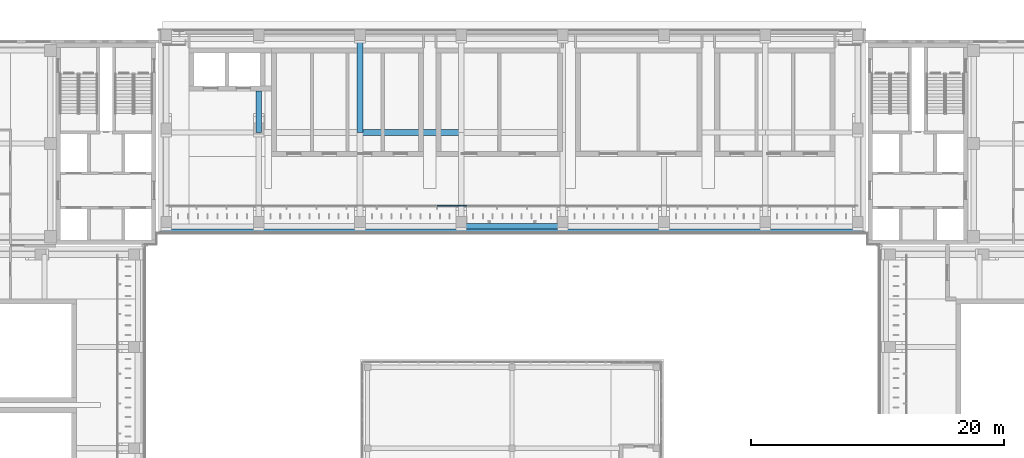
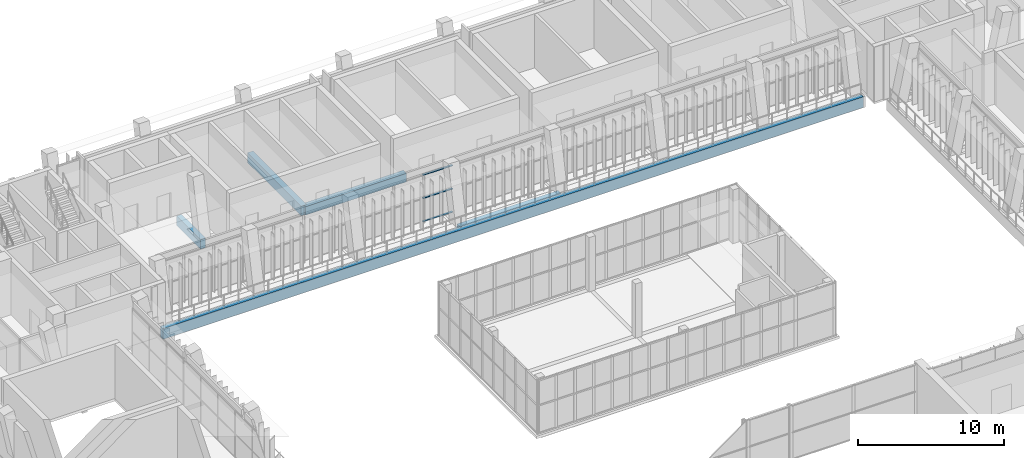
# One storey, part 35 of 92: 5 beams, 3 members, 1 element without a shape of its own.
"""IFC4 building model written with IfcOpenShell, lengths in metres."""

from ifc_helpers import new_model, si_unit, direction, frame, origin, origin_2d, place, context, subcontext, project, spatial, rectangle, extrude, material, material_profile, profile_set, type_object, element, aggregate, save


model = new_model("IFC4")

# Units and contexts
model_context = context("Model", 3, precision=1e-05, world=origin(), true_north=direction((0.0, 1.0)))
body_context = subcontext(model_context, "Body", "Model", "MODEL_VIEW")
ifc_project = project(units=[si_unit("LENGTHUNIT", "METRE"), si_unit("AREAUNIT", "SQUARE_METRE"), si_unit("VOLUMEUNIT", "CUBIC_METRE"), si_unit("PLANEANGLEUNIT", "RADIAN"), si_unit("MASSUNIT", "GRAM", prefix="KILO")], contexts=[model_context])

# Site, building, storey
site_placement = place(None, origin())
site = spatial("IfcSite", under=ifc_project, at=site_placement, CompositionType="ELEMENT")
building_placement = place(site_placement, origin())
building = spatial("IfcBuilding", under=site, at=building_placement, Name="Lantern Court Media Centre", CompositionType="ELEMENT")
storey_placement = place(building_placement, frame((0.0, 0.0, 4.800048828125)))
storey = spatial("IfcBuildingStorey", under=building, at=storey_placement, Name="L01", CompositionType="ELEMENT", Elevation=4.800048828125)

# Curtain wall, members
ifc_material_1 = material(Name="Curtain wall bay 2400")
curtain_wall_type = type_object("IfcCurtainWallType", Name="Curtain wall bay 2400", PredefinedType="NOTDEFINED", material=ifc_material_1)
curtain_wall_placement = place(storey_placement, origin())
curtain_wall = element("IfcCurtainWall", 1, at=curtain_wall_placement, inside=storey, type_object=curtain_wall_type, Name="Curtain wall N inner L01", PredefinedType="NOTDEFINED")
ifc_material_2 = material(Name="Anodised aluminium", Category="aluminium")
ifc_material_profile_1 = material_profile(ifc_material_2, rectangle(XDim=0.10009765625, YDim=0.050048828125, at=origin_2d()), Name="AL 50x100")
ifc_profile_set_1 = profile_set([ifc_material_profile_1], Name="Anodised aluminium")
member_type = type_object("IfcMemberType", Name="Curtain wall transom 100x50", PredefinedType="USERDEFINED", material=ifc_profile_set_1)
member_1_placement = place(storey_placement, frame((46.09033203125, 99.14990234375, 0.02490234375), z_axis=(1.0, 0.0, 0.0), x_axis=(0.0, 1.0, 0.0)))
member_1 = element("IfcMember", 2, at=member_1_placement, type_object=member_type, Name="CW2 transom 10.1", ObjectType="TRANSOM", PredefinedType="USERDEFINED", context=body_context, shape_type="SweptSolid", body=[
    extrude(rectangle(XDim=0.10009765625, YDim=0.050048828125, at=origin_2d()), origin(), (0.0, 0.0, 1.0), 2.32373046875),
])
member_2_placement = place(storey_placement, frame((46.09033203125, 99.14990234375, 1.974853515625), z_axis=(1.0, 0.0, 0.0), x_axis=(0.0, 1.0, 0.0)))
member_2 = element("IfcMember", 3, at=member_2_placement, type_object=member_type, Name="CW2 transom 10.2", ObjectType="TRANSOM", PredefinedType="USERDEFINED", context=body_context, shape_type="SweptSolid", body=[
    extrude(rectangle(XDim=0.10009765625, YDim=0.050048828125, at=origin_2d()), origin(), (0.0, 0.0, 1.0), 2.32373046875),
])
member_3_placement = place(storey_placement, frame((46.09033203125, 99.14990234375, 3.925048828125), z_axis=(1.0, 0.0, 0.0), x_axis=(0.0, 1.0, 0.0)))
member_3 = element("IfcMember", 4, at=member_3_placement, type_object=member_type, Name="CW2 transom 10.3", ObjectType="TRANSOM", PredefinedType="USERDEFINED", context=body_context, shape_type="SweptSolid", body=[
    extrude(rectangle(XDim=0.10009765625, YDim=0.050048828125, at=origin_2d()), origin(), (0.0, 0.0, 1.0), 2.32373046875),
])
aggregate(curtain_wall, [member_1, member_2, member_3])

# Beams
ifc_material_3 = material(Name="Concrete C35", Category="concrete")
ifc_material_profile_2 = material_profile(ifc_material_3, rectangle(XDim=0.35009765625, YDim=0.89990234375, at=origin_2d()), Name="RC 350x900")
ifc_profile_set_2 = profile_set([ifc_material_profile_2], Name="Concrete C35")
beam_type_1 = type_object("IfcBeamType", Name="RC BEAM 350x900", PredefinedType="BEAM", material=ifc_profile_set_2)
beam_1_placement = place(storey_placement, frame((24.25, 97.14990234375, -0.449951171875), z_axis=(1.0, 0.0, 0.0), x_axis=(0.0, 1.0, 0.0)))
element("IfcBeam", 5, at=beam_1_placement, inside=storey, type_object=beam_type_1, Name="EB-N-L01-A", PredefinedType="BEAM", context=body_context, shape_type="SweptSolid", body=[
    extrude(rectangle(XDim=0.35009765625, YDim=0.89990234375, at=origin_2d()), origin(), (0.0, 0.0, 1.0), 55.5),
])
ifc_material_profile_3 = material_profile(ifc_material_3, rectangle(XDim=0.39990234375, YDim=0.800048828125, at=origin_2d()), Name="RC 400x800")
ifc_profile_set_3 = profile_set([ifc_material_profile_3], Name="Concrete C35")
beam_type_2 = type_object("IfcBeamType", Name="RC BEAM 400x800", PredefinedType="BEAM", material=ifc_profile_set_3)
beam_2_placement = place(storey_placement, frame((32.0, 104.916748046875, -0.400146484375), z_axis=(0.0, 1.0, 0.0), x_axis=(-1.0, 0.0, 0.0)))
element("IfcBeam", 6, at=beam_2_placement, inside=storey, type_object=beam_type_2, Name="TB-N-L01-1-2", PredefinedType="BEAM", context=body_context, shape_type="SweptSolid", body=[
    extrude(rectangle(XDim=0.39990234375, YDim=0.800048828125, at=origin_2d()), origin(), (0.0, 0.0, 1.0), 3.283203125),
])
ifc_material_profile_4 = material_profile(ifc_material_3, rectangle(XDim=0.449951171875, YDim=0.699951171875, at=origin_2d()), Name="RC 450x700")
ifc_profile_set_4 = profile_set([ifc_material_profile_4], Name="Concrete C35")
beam_type_3 = type_object("IfcBeamType", Name="RC BEAM 450x700", PredefinedType="BEAM", material=ifc_profile_set_4)
for number, where, z_axis, x_axis, name in (
    (7, (48.0, 97.527099609375, -0.35009765625), (1.0, 0.0, 0.0), (0.0, 1.0, 0.0), "LB-N-L01-0-3"),
    (8, (40.0, 104.927001953125, -0.35009765625), (1.0, 0.0, 0.0), (0.0, 1.0, 0.0), "LB-N-L01-1-2"),
):
    element("IfcBeam", number, at=place(storey_placement, frame(where, z_axis=z_axis, x_axis=x_axis)), inside=storey, type_object=beam_type_3, Name=name, PredefinedType="BEAM", context=body_context, shape_type="SweptSolid", body=[
        extrude(rectangle(XDim=0.449951171875, YDim=0.699951171875, at=origin_2d()), origin(), (0.0, 0.0, 1.0), 8.0),
    ])
ifc_material_profile_5 = material_profile(ifc_material_3, rectangle(XDim=0.449951171875, YDim=0.800048828125, at=origin_2d()), Name="RC 450x800")
ifc_profile_set_5 = profile_set([ifc_material_profile_5], Name="Concrete C35")
beam_type_4 = type_object("IfcBeamType", Name="RC BEAM 450x800", PredefinedType="BEAM", material=ifc_profile_set_5)
beam_3_placement = place(storey_placement, frame((40.0, 104.916748046875, -0.400146484375), z_axis=(0.0, 1.0, 0.0), x_axis=(-1.0, 0.0, 0.0)))
element("IfcBeam", 9, at=beam_3_placement, inside=storey, type_object=beam_type_4, Name="TB-N-L01-2-2", PredefinedType="BEAM", context=body_context, shape_type="SweptSolid", body=[
    extrude(rectangle(XDim=0.449951171875, YDim=0.800048828125, at=origin_2d()), origin(), (0.0, 0.0, 1.0), 7.39990234375),
])

save(model, "model.ifc")
